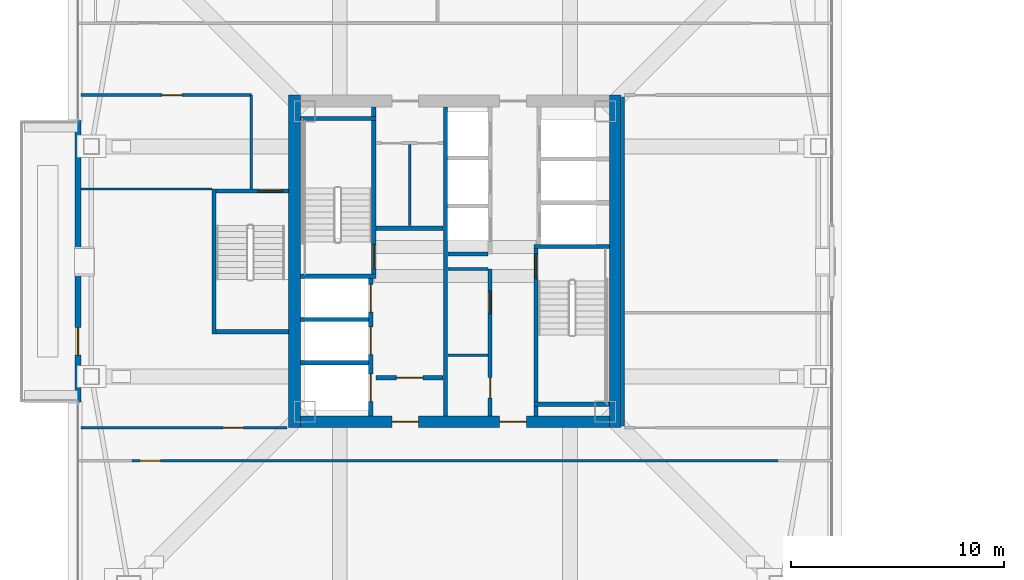
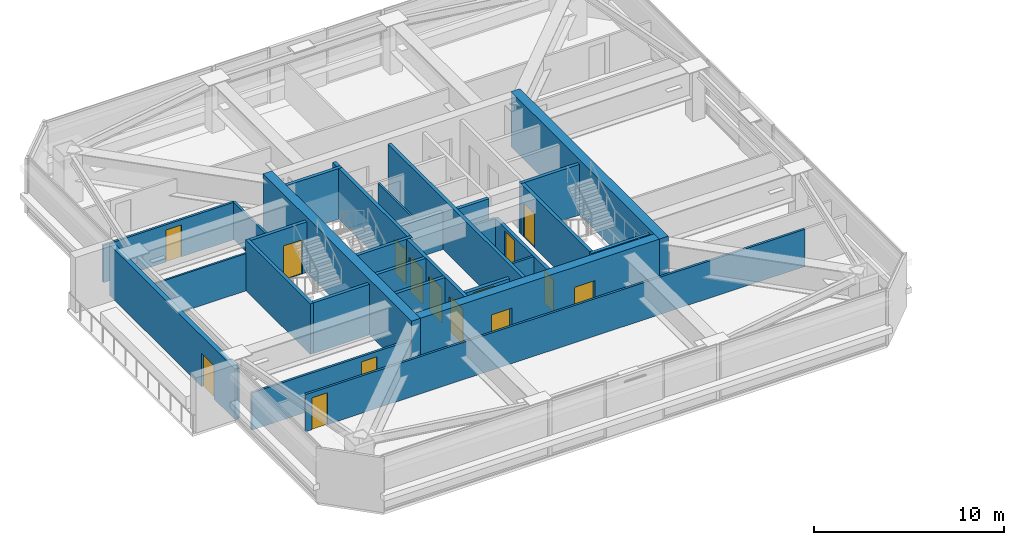
# One storey, part 32 of 42: 30 walls, 15 doors, 15 openings.
"""IFC4 building model written with IfcOpenShell, lengths in metres."""

from ifc_helpers import new_model, si_unit, direction, frame, frame_2d, origin, place, context, subcontext, project, spatial, rectangle, extrude, material, layer, layer_set, type_object, element, fill, save


model = new_model("IFC4")

# Units and contexts
model_context = context("Model", 3, precision=1e-05, world=origin(), true_north=direction((0.0, 1.0)))
body_context = subcontext(model_context, "Body", "Model", "MODEL_VIEW")
ifc_project = project(units=[si_unit("LENGTHUNIT", "METRE"), si_unit("AREAUNIT", "SQUARE_METRE"), si_unit("VOLUMEUNIT", "CUBIC_METRE"), si_unit("PLANEANGLEUNIT", "RADIAN"), si_unit("MASSUNIT", "GRAM", prefix="KILO")], contexts=[model_context])

# Site, building, storey
site_placement = place(None, origin())
site = spatial("IfcSite", under=ifc_project, at=site_placement, CompositionType="ELEMENT")
building_placement = place(site_placement, origin())
building = spatial("IfcBuilding", under=site, at=building_placement, Name="Tashvorn Skyway Center", CompositionType="ELEMENT")
storey_placement = place(building_placement, frame((0.0, 0.0, 196.050048828125)))
storey = spatial("IfcBuildingStorey", under=building, at=storey_placement, Name="L53", CompositionType="ELEMENT", Elevation=196.050048828125)

# Walls
ifc_material_1 = material(Name="Concrete C60/75", Category="concrete")
ifc_layer_1 = layer(ifc_material_1, 0.550048828125)
ifc_layer_set_1 = layer_set([ifc_layer_1], Name="Concrete C60/75")
wall_type_1 = type_object("IfcWallType", Name="WALL-CORE-550", PredefinedType="SHEAR", material=ifc_layer_set_1)
for number, where, z_axis, x_axis, name in (
    (1, (34.47509765625, 24.199951171875, 0.0), (0.0, 0.0, 1.0), (0.0, 1.0, 0.0), "Tower 1 L53 West Core Shear Wall"),
    (2, (49.52490234375, 39.800048828125, 0.0), (0.0, 0.0, 1.0), (0.0, -1.0, 0.0), "Tower 1 L53 East Core Shear Wall"),
):
    element("IfcWall", number, at=place(storey_placement, frame(where, z_axis=z_axis, x_axis=x_axis)), inside=storey, type_object=wall_type_1, Name=name, PredefinedType="SHEAR", context=body_context, shape_type="SweptSolid", body=[
        extrude(rectangle(XDim=15.60009765625, YDim=0.550048828125, at=frame_2d((7.800048828125, 0.0))), origin(), (0.0, 0.0, 1.0), 3.550048828125),
    ])

# Wall, openings, doors
wall_1_placement = place(storey_placement, frame((49.25, 24.47509765625, 0.0), z_axis=(0.0, 0.0, 1.0), x_axis=(-1.0, 0.0, 0.0)))
wall_1 = element("IfcWall", 3, at=wall_1_placement, inside=storey, type_object=wall_type_1, Name="Tower 1 L53 South Core Shear Wall", PredefinedType="SHEAR", context=body_context, shape_type="SweptSolid", body=[
    extrude(rectangle(XDim=14.5, YDim=0.550048828125, at=frame_2d((7.25, 0.0))), origin(), (0.0, 0.0, 1.0), 3.550048828125),
])
opening_1_placement = place(wall_1_placement, frame((8.949951171875, 0.0, 0.0)))
opening_1 = element("IfcOpeningElement", 4, at=opening_1_placement, cuts=wall_1, Name="Opening D-FFL-1250", PredefinedType="OPENING", context=body_context, shape_type="SweptSolid", body=[
    extrude(rectangle(XDim=1.25, YDim=2.25, at=frame_2d((0.625, 1.125))), frame((0.0, 0.284912109375, 0.0), z_axis=(0.0, -1.0, 0.0), x_axis=(1.0, 0.0, 0.0)), (0.0, 0.0, 1.0), 0.570068359375),
])
opening_2_placement = place(wall_1_placement, frame((3.89990234375, 0.0, 0.0)))
opening_2 = element("IfcOpeningElement", 5, at=opening_2_placement, cuts=wall_1, Name="Opening D-FFL-1250", PredefinedType="OPENING", context=body_context, shape_type="SweptSolid", body=[
    extrude(rectangle(XDim=1.25, YDim=2.25, at=frame_2d((0.625, 1.125))), frame((0.0, 0.284912109375, 0.0), z_axis=(0.0, -1.0, 0.0), x_axis=(1.0, 0.0, 0.0)), (0.0, 0.0, 1.0), 0.570068359375),
])
ifc_material_2 = material(Name="Hollow galvanized steel fire door assembly", Category="steel")
door_type_1 = type_object("IfcDoorType", Name="DOOR-FFL-1250", OperationType="NOTDEFINED", PredefinedType="DOOR", material=ifc_material_2)
door_1_placement = place(opening_1_placement, origin())
door_1 = element("IfcDoor", 6, at=door_1_placement, inside=storey, type_object=door_type_1, Name="Tower 1 L53 Core South Firefighting Exit Door", OperationType="SINGLE_SWING_LEFT", OverallHeight=2.25, OverallWidth=1.25, PredefinedType="DOOR", context=body_context, shape_type="SweptSolid", body=[
    extrude(rectangle(XDim=1.25, YDim=2.25, at=frame_2d((0.625, 1.125))), frame((0.0, 0.02490234375, 0.0), z_axis=(0.0, -1.0, 0.0), x_axis=(1.0, 0.0, 0.0)), (0.0, 0.0, 1.0), 0.050048828125),
])
fill(opening_1, door_1)
door_2_placement = place(opening_2_placement, origin())
door_2 = element("IfcDoor", 7, at=door_2_placement, inside=storey, type_object=door_type_1, Name="Tower 1 L53 Core South Lift Lobby Door", OperationType="SINGLE_SWING_RIGHT", OverallHeight=2.25, OverallWidth=1.25, PredefinedType="DOOR", context=body_context, shape_type="SweptSolid", body=[
    extrude(rectangle(XDim=1.25, YDim=2.25, at=frame_2d((0.625, 1.125))), frame((0.0, 0.02490234375, 0.0), z_axis=(0.0, -1.0, 0.0), x_axis=(1.0, 0.0, 0.0)), (0.0, 0.0, 1.0), 0.050048828125),
])
fill(opening_2, door_2)

# Wall, opening, door
ifc_material_3 = material(Name="Precast concrete C40/50", Category="concrete")
ifc_layer_2 = layer(ifc_material_3, 0.280029296875)
ifc_layer_set_2 = layer_set([ifc_layer_2], Name="Precast concrete C40/50")
wall_type_2 = type_object("IfcWallType", Name="WALL-EXT-280", PredefinedType="SOLIDWALL", material=ifc_layer_set_2)
wall_2_placement = place(storey_placement, frame((24.320068359375, 25.39990234375, 0.0), z_axis=(0.0, 0.0, 1.0), x_axis=(0.0, 1.0, 0.0)))
wall_2 = element("IfcWall", 8, at=wall_2_placement, inside=storey, type_object=wall_type_2, Name="Tower 1 L53 West Sky Garden Loggia Wall", PredefinedType="SOLIDWALL", context=body_context, shape_type="SweptSolid", body=[
    extrude(rectangle(XDim=13.2001953125, YDim=0.280029296875, at=frame_2d((6.60009765625, 0.0))), origin(), (0.0, 0.0, 1.0), 3.25),
])
opening_3_placement = place(wall_2_placement, frame((2.199951171875, 0.0, 0.0)))
opening_3 = element("IfcOpeningElement", 9, at=opening_3_placement, cuts=wall_2, Name="Opening D-TER-1300", PredefinedType="OPENING", context=body_context, shape_type="SweptSolid", body=[
    extrude(rectangle(XDim=1.300048828125, YDim=2.14990234375, at=frame_2d((0.64990234375, 1.074951171875))), frame((0.0, 0.14990234375, 0.0), z_axis=(0.0, -1.0, 0.0), x_axis=(1.0, 0.0, 0.0)), (0.0, 0.0, 1.0), 0.300048828125),
])
ifc_material_4 = material(Name="Thermally broken bronze-anodized aluminium 6063-T6", Category="aluminium")
door_type_2 = type_object("IfcDoorType", Name="DOOR-TERR-1300", OperationType="NOTDEFINED", PredefinedType="DOOR", material=ifc_material_4)
door_3_placement = place(opening_3_placement, origin())
door_3 = element("IfcDoor", 10, at=door_3_placement, inside=storey, type_object=door_type_2, Name="Tower 1 L53 Sky Garden Access Door", OperationType="SINGLE_SWING_LEFT", OverallHeight=2.14990234375, OverallWidth=1.300048828125, PredefinedType="DOOR", context=body_context, shape_type="SweptSolid", body=[
    extrude(rectangle(XDim=1.300048828125, YDim=2.14990234375, at=frame_2d((0.64990234375, 1.074951171875))), frame((0.0, 0.02490234375, 0.0), z_axis=(0.0, -1.0, 0.0), x_axis=(1.0, 0.0, 0.0)), (0.0, 0.0, 1.0), 0.050048828125),
])
fill(opening_3, door_3)

# Wall
ifc_material_5 = material(Name="Concrete C40/50", Category="concrete")
ifc_layer_3 = layer(ifc_material_5, 0.219970703125)
ifc_layer_set_3 = layer_set([ifc_layer_3], Name="Concrete C40/50")
wall_type_3 = type_object("IfcWallType", Name="WALL-FFL-220", PredefinedType="SOLIDWALL", material=ifc_layer_set_3)
wall_3_placement = place(storey_placement, frame((38.300048828125, 33.56005859375, 0.0), z_axis=(0.0, 0.0, 1.0), x_axis=(1.0, 0.0, 0.0)))
element("IfcWall", 11, at=wall_3_placement, inside=storey, type_object=wall_type_3, Name="Tower 1 L53 Firefighting Lobby North Wall", PredefinedType="SOLIDWALL", context=body_context, shape_type="SweptSolid", body=[
    extrude(rectangle(XDim=3.14990234375, YDim=0.219970703125, at=frame_2d((1.574951171875, 0.0))), origin(), (0.0, 0.0, 1.0), 2.39306640625),
])

# Wall, opening, door
wall_4_placement = place(storey_placement, frame((38.300048828125, 26.5400390625, 0.0), z_axis=(0.0, 0.0, 1.0), x_axis=(1.0, 0.0, 0.0)))
wall_4 = element("IfcWall", 12, at=wall_4_placement, inside=storey, type_object=wall_type_3, Name="Tower 1 L53 Firefighting Lobby South Wall", PredefinedType="SOLIDWALL", context=body_context, shape_type="SweptSolid", body=[
    extrude(rectangle(XDim=3.14990234375, YDim=0.219970703125, at=frame_2d((1.574951171875, 0.0))), origin(), (0.0, 0.0, 1.0), 2.39306640625),
])
opening_4_placement = place(wall_4_placement, frame((0.949951171875, 0.0, 0.0)))
opening_4 = element("IfcOpeningElement", 13, at=opening_4_placement, cuts=wall_4, Name="Opening D-FFL-1250", PredefinedType="OPENING", context=body_context, shape_type="SweptSolid", body=[
    extrude(rectangle(XDim=1.25, YDim=2.25, at=frame_2d((0.625, 1.125))), frame((0.0, 0.119873046875, 0.0), z_axis=(0.0, -1.0, 0.0), x_axis=(1.0, 0.0, 0.0)), (0.0, 0.0, 1.0), 0.239990234375),
])
door_4_placement = place(opening_4_placement, origin())
door_4 = element("IfcDoor", 14, at=door_4_placement, inside=storey, type_object=door_type_1, Name="Tower 1 L53 Firefighting Lobby Egress Door", OperationType="SINGLE_SWING_LEFT", OverallHeight=2.25, OverallWidth=1.25, PredefinedType="DOOR", context=body_context, shape_type="SweptSolid", body=[
    extrude(rectangle(XDim=1.25, YDim=2.25, at=frame_2d((0.625, 1.125))), frame((0.0, 0.02490234375, 0.0), z_axis=(0.0, -1.0, 0.0), x_axis=(1.0, 0.0, 0.0)), (0.0, 0.0, 1.0), 0.050048828125),
])
fill(opening_4, door_4)

# Walls
ifc_material_6 = material(Name="Gypsum board on cold-formed steel stud framing", Category="steel")
ifc_layer_4 = layer(ifc_material_6, 0.110107421875)
ifc_layer_set_4 = layer_set([ifc_layer_4], Name="Gypsum board on cold-formed steel stud framing")
wall_type_4 = type_object("IfcWallType", Name="WALL-PART-110", PredefinedType="PARTITIONING", material=ifc_layer_set_4)
wall_5_placement = place(storey_placement, frame((30.60009765625, 35.39990234375, 0.0), z_axis=(0.0, 0.0, 1.0), x_axis=(-1.0, 0.0, 0.0)))
element("IfcWall", 15, at=wall_5_placement, inside=storey, type_object=wall_type_4, Name="Tower 1 L53 West Suite Partition 1", PredefinedType="PARTITIONING", context=body_context, shape_type="SweptSolid", body=[
    extrude(rectangle(XDim=6.130126953125, YDim=0.110107421875, at=frame_2d((3.06494140625, 0.0))), origin(), (0.0, 0.0, 1.0), 2.39306640625),
])
ifc_layer_5 = layer(ifc_material_6, 0.135009765625)
ifc_layer_set_5 = layer_set([ifc_layer_5], Name="Gypsum board on cold-formed steel stud framing")
wall_type_5 = type_object("IfcWallType", Name="WALL-PART-135", PredefinedType="PARTITIONING", material=ifc_layer_set_5)
wall_6_placement = place(storey_placement, frame((32.449951171875, 35.39990234375, 0.0), z_axis=(0.0, 0.0, 1.0), x_axis=(0.0, 1.0, 0.0)))
element("IfcWall", 16, at=wall_6_placement, inside=storey, type_object=wall_type_5, Name="Tower 1 L53 Stair 3 Access Corridor Wall", PredefinedType="PARTITIONING", context=body_context, shape_type="SweptSolid", body=[
    extrude(rectangle(XDim=4.400146484375, YDim=0.135009765625, at=frame_2d((2.2001953125, 0.0))), origin(), (0.0, 0.0, 1.0), 2.39306640625),
])

# Wall, opening, door
wall_7_placement = place(storey_placement, frame((57.14990234375, 22.64990234375, 0.0), z_axis=(0.0, 0.0, 1.0), x_axis=(-1.0, 0.0, 0.0)))
wall_7 = element("IfcWall", 17, at=wall_7_placement, inside=storey, type_object=wall_type_5, Name="Tower 1 L53 South Suite Wall", PredefinedType="PARTITIONING", context=body_context, shape_type="SweptSolid", body=[
    extrude(rectangle(XDim=30.2998046875, YDim=0.135009765625, at=frame_2d((15.14990234375, 0.0))), origin(), (0.0, 0.0, 1.0), 2.39306640625),
])
opening_5_placement = place(wall_7_placement, frame((28.969970703125, 0.0, 0.0)))
opening_5 = element("IfcOpeningElement", 18, at=opening_5_placement, cuts=wall_7, Name="Opening D-INT-950", PredefinedType="OPENING", context=body_context, shape_type="SweptSolid", body=[
    extrude(rectangle(XDim=0.949951171875, YDim=2.050048828125, at=frame_2d((0.47509765625, 1.02490234375))), frame((0.0, 0.077392578125, 0.0), z_axis=(0.0, -1.0, 0.0), x_axis=(1.0, 0.0, 0.0)), (0.0, 0.0, 1.0), 0.155029296875),
])
ifc_material_7 = material(Name="Solid-core architectural oak veneer door")
door_type_3 = type_object("IfcDoorType", Name="DOOR-INT-950", OperationType="NOTDEFINED", PredefinedType="DOOR", material=ifc_material_7)
door_5_placement = place(opening_5_placement, origin())
door_5 = element("IfcDoor", 19, at=door_5_placement, inside=storey, type_object=door_type_3, Name="Tower 1 L53 Gallery Showroom Door", OperationType="SINGLE_SWING_RIGHT", OverallHeight=2.050048828125, OverallWidth=0.949951171875, PredefinedType="DOOR", context=body_context, shape_type="SweptSolid", body=[
    extrude(rectangle(XDim=0.949951171875, YDim=2.050048828125, at=frame_2d((0.47509765625, 1.02490234375))), frame((0.0, 0.02490234375, 0.0), z_axis=(0.0, -1.0, 0.0), x_axis=(1.0, 0.0, 0.0)), (0.0, 0.0, 1.0), 0.050048828125),
])
fill(opening_5, door_5)

# Wall
wall_8_placement = place(storey_placement, frame((49.8798828125, 39.719970703125, 0.0), z_axis=(0.0, 0.0, 1.0), x_axis=(0.0, -1.0, 0.0)))
element("IfcWall", 20, at=wall_8_placement, inside=storey, type_object=wall_type_5, Name="Tower 1 L53 East Inner Suite Wall", PredefinedType="PARTITIONING", context=body_context, shape_type="SweptSolid", body=[
    extrude(rectangle(XDim=15.43994140625, YDim=0.135009765625, at=frame_2d((7.719970703125, 0.0))), origin(), (0.0, 0.0, 1.0), 2.39306640625),
])

# Wall, opening, door
wall_9_placement = place(storey_placement, frame((32.449951171875, 39.800048828125, 0.0), z_axis=(0.0, 0.0, 1.0), x_axis=(-1.0, 0.0, 0.0)))
wall_9 = element("IfcWall", 21, at=wall_9_placement, inside=storey, type_object=wall_type_5, Name="Tower 1 L53 West Suite North Wall", PredefinedType="PARTITIONING", context=body_context, shape_type="SweptSolid", body=[
    extrude(rectangle(XDim=7.97998046875, YDim=0.135009765625, at=frame_2d((3.989990234375, 0.0))), origin(), (0.0, 0.0, 1.0), 2.39306640625),
])
opening_6_placement = place(wall_9_placement, frame((3.239990234375, 0.0, 0.0)))
opening_6 = element("IfcOpeningElement", 22, at=opening_6_placement, cuts=wall_9, Name="Opening D-INT-950", PredefinedType="OPENING", context=body_context, shape_type="SweptSolid", body=[
    extrude(rectangle(XDim=0.949951171875, YDim=2.050048828125, at=frame_2d((0.47509765625, 1.02490234375))), frame((0.0, 0.077392578125, 0.0), z_axis=(0.0, -1.0, 0.0), x_axis=(1.0, 0.0, 0.0)), (0.0, 0.0, 1.0), 0.155029296875),
])
door_6_placement = place(opening_6_placement, origin())
door_6 = element("IfcDoor", 23, at=door_6_placement, inside=storey, type_object=door_type_3, Name="Tower 1 L53 Collaborative Studio Door", OperationType="SINGLE_SWING_LEFT", OverallHeight=2.050048828125, OverallWidth=0.949951171875, PredefinedType="DOOR", context=body_context, shape_type="SweptSolid", body=[
    extrude(rectangle(XDim=0.949951171875, YDim=2.050048828125, at=frame_2d((0.47509765625, 1.02490234375))), frame((0.0, 0.02490234375, 0.0), z_axis=(0.0, -1.0, 0.0), x_axis=(1.0, 0.0, 0.0)), (0.0, 0.0, 1.0), 0.050048828125),
])
fill(opening_6, door_6)

wall_10_placement = place(storey_placement, frame((24.469970703125, 24.199951171875, 0.0), z_axis=(0.0, 0.0, 1.0), x_axis=(1.0, 0.0, 0.0)))
wall_10 = element("IfcWall", 24, at=wall_10_placement, inside=storey, type_object=wall_type_5, Name="Tower 1 L53 West Suite South Wall", PredefinedType="PARTITIONING", context=body_context, shape_type="SweptSolid", body=[
    extrude(rectangle(XDim=9.650146484375, YDim=0.135009765625, at=frame_2d((4.8251953125, 0.0))), origin(), (0.0, 0.0, 1.0), 2.39306640625),
])
opening_7_placement = place(wall_10_placement, frame((6.655029296875, 0.0, 0.0)))
opening_7 = element("IfcOpeningElement", 25, at=opening_7_placement, cuts=wall_10, Name="Opening D-INT-950", PredefinedType="OPENING", context=body_context, shape_type="SweptSolid", body=[
    extrude(rectangle(XDim=0.949951171875, YDim=2.050048828125, at=frame_2d((0.47509765625, 1.02490234375))), frame((0.0, 0.077392578125, 0.0), z_axis=(0.0, -1.0, 0.0), x_axis=(1.0, 0.0, 0.0)), (0.0, 0.0, 1.0), 0.155029296875),
])
door_7_placement = place(opening_7_placement, origin())
door_7 = element("IfcDoor", 26, at=door_7_placement, inside=storey, type_object=door_type_3, Name="Tower 1 L53 Public Restroom Door", OperationType="SINGLE_SWING_RIGHT", OverallHeight=2.050048828125, OverallWidth=0.949951171875, PredefinedType="DOOR", context=body_context, shape_type="SweptSolid", body=[
    extrude(rectangle(XDim=0.949951171875, YDim=2.050048828125, at=frame_2d((0.47509765625, 1.02490234375))), frame((0.0, 0.02490234375, 0.0), z_axis=(0.0, -1.0, 0.0), x_axis=(1.0, 0.0, 0.0)), (0.0, 0.0, 1.0), 0.050048828125),
])
fill(opening_7, door_7)

# Walls
ifc_layer_6 = layer(ifc_material_6, 0.110107421875)
ifc_layer_set_6 = layer_set([ifc_layer_6], Name="Gypsum board on cold-formed steel stud framing")
wall_type_6 = type_object("IfcWallType", Name="WALL-RATED-110", PredefinedType="PARTITIONING", material=ifc_layer_set_6)
wall_11_placement = place(storey_placement, frame((39.8798828125, 33.679931640625, 0.0), z_axis=(0.0, 0.0, 1.0), x_axis=(0.0, 1.0, 0.0)))
element("IfcWall", 27, at=wall_11_placement, inside=storey, type_object=wall_type_6, Name="Tower 1 L53 Core Split Partition", PredefinedType="PARTITIONING", context=body_context, shape_type="SweptSolid", body=[
    extrude(rectangle(XDim=3.800048828125, YDim=0.110107421875, at=frame_2d((1.89990234375, 0.0))), origin(), (0.0, 0.0, 1.0), 2.39306640625),
])
ifc_layer_7 = layer(ifc_material_6, 0.135009765625)
ifc_layer_set_7 = layer_set([ifc_layer_7], Name="Gypsum board on cold-formed steel stud framing")
wall_type_7 = type_object("IfcWallType", Name="WALL-RATED-135", PredefinedType="PARTITIONING", material=ifc_layer_set_7)
for number, where, z_axis, x_axis, name in (
    (28, (41.669921875, 31.64990234375, 0.0), (0.0, 0.0, 1.0), (1.0, 0.0, 0.0), "Tower 1 L53 Core Room Partition"),
    (29, (41.669921875, 27.60009765625, 0.0), (0.0, 0.0, 1.0), (1.0, 0.0, 0.0), "Tower 1 L53 Freed Core Partition"),
):
    element("IfcWall", number, at=place(storey_placement, frame(where, z_axis=z_axis, x_axis=x_axis)), inside=storey, type_object=wall_type_7, Name=name, PredefinedType="PARTITIONING", context=body_context, shape_type="SweptSolid", body=[
        extrude(rectangle(XDim=1.880126953125, YDim=0.135009765625, at=frame_2d((0.93994140625, 0.0))), origin(), (0.0, 0.0, 1.0), 2.39306640625),
    ])
ifc_layer_8 = layer(ifc_material_5, 0.199951171875)
ifc_layer_set_8 = layer_set([ifc_layer_8], Name="Concrete C40/50")
wall_type_8 = type_object("IfcWallType", Name="WALL-SHAFT-200", PredefinedType="SOLIDWALL", material=ifc_layer_set_8)
for number, where, z_axis, x_axis, name in (
    (30, (34.75, 27.25, 0.0), (0.0, 0.0, 1.0), (1.0, 0.0, 0.0), "Tower 1 L53 FSAE Shaft Divider"),
    (31, (34.75, 29.280029296875, 0.0), (0.0, 0.0, 1.0), (1.0, 0.0, 0.0), "Tower 1 L53 FSAE Shaft Divider"),
):
    element("IfcWall", number, at=place(storey_placement, frame(where, z_axis=z_axis, x_axis=x_axis)), inside=storey, type_object=wall_type_8, Name=name, PredefinedType="SOLIDWALL", context=body_context, shape_type="SweptSolid", body=[
        extrude(rectangle(XDim=3.199951171875, YDim=0.199951171875, at=frame_2d((1.60009765625, 0.0))), origin(), (0.0, 0.0, 1.0), 3.25),
    ])

# Wall, openings, doors
wall_12_placement = place(storey_placement, frame((43.64990234375, 24.75, 0.0), z_axis=(0.0, 0.0, 1.0), x_axis=(0.0, 1.0, 0.0)))
wall_12 = element("IfcWall", 32, at=wall_12_placement, inside=storey, type_object=wall_type_8, Name="Tower 1 L53 Low-Rise Core Wall", PredefinedType="SOLIDWALL", context=body_context, shape_type="SweptSolid", body=[
    extrude(rectangle(XDim=6.89990234375, YDim=0.199951171875, at=frame_2d((3.449951171875, 0.0))), origin(), (0.0, 0.0, 1.0), 2.39306640625),
])
opening_8_placement = place(wall_12_placement, frame((0.85009765625, 0.0, 0.0)))
opening_8 = element("IfcOpeningElement", 33, at=opening_8_placement, cuts=wall_12, Name="Opening D-RT-950", PredefinedType="OPENING", context=body_context, shape_type="SweptSolid", body=[
    extrude(rectangle(XDim=0.949951171875, YDim=2.050048828125, at=frame_2d((0.47509765625, 1.02490234375))), frame((0.0, 0.10986328125, 0.0), z_axis=(0.0, -1.0, 0.0), x_axis=(1.0, 0.0, 0.0)), (0.0, 0.0, 1.0), 0.219970703125),
])
opening_9_placement = place(wall_12_placement, frame((4.800048828125, 0.0, 0.0)))
opening_9 = element("IfcOpeningElement", 34, at=opening_9_placement, cuts=wall_12, Name="Opening D-RT-1050", PredefinedType="OPENING", context=body_context, shape_type="SweptSolid", body=[
    extrude(rectangle(XDim=1.050048828125, YDim=2.199951171875, at=frame_2d((0.52490234375, 1.10009765625))), frame((0.0, 0.10986328125, 0.0), z_axis=(0.0, -1.0, 0.0), x_axis=(1.0, 0.0, 0.0)), (0.0, 0.0, 1.0), 0.219970703125),
])
door_type_4 = type_object("IfcDoorType", Name="DOOR-RATED-1050", OperationType="NOTDEFINED", PredefinedType="DOOR", material=ifc_material_2)
door_8_placement = place(opening_9_placement, origin())
door_8 = element("IfcDoor", 35, at=door_8_placement, inside=storey, type_object=door_type_4, Name="Tower 1 L53 Freed Core Room Door", OperationType="SINGLE_SWING_RIGHT", OverallHeight=2.199951171875, OverallWidth=1.050048828125, PredefinedType="DOOR", context=body_context, shape_type="SweptSolid", body=[
    extrude(rectangle(XDim=1.050048828125, YDim=2.199951171875, at=frame_2d((0.52490234375, 1.10009765625))), frame((0.0, 0.02490234375, 0.0), z_axis=(0.0, -1.0, 0.0), x_axis=(1.0, 0.0, 0.0)), (0.0, 0.0, 1.0), 0.050048828125),
])
fill(opening_9, door_8)
door_type_5 = type_object("IfcDoorType", Name="DOOR-RATED-950", OperationType="NOTDEFINED", PredefinedType="DOOR", material=ifc_material_2)
door_9_placement = place(opening_8_placement, origin())
door_9 = element("IfcDoor", 36, at=door_9_placement, inside=storey, type_object=door_type_5, Name="Tower 1 L53 Core Print Room Door", OperationType="SINGLE_SWING_LEFT", OverallHeight=2.050048828125, OverallWidth=0.949951171875, PredefinedType="DOOR", context=body_context, shape_type="SweptSolid", body=[
    extrude(rectangle(XDim=0.949951171875, YDim=2.050048828125, at=frame_2d((0.47509765625, 1.02490234375))), frame((0.0, 0.02490234375, 0.0), z_axis=(0.0, -1.0, 0.0), x_axis=(1.0, 0.0, 0.0)), (0.0, 0.0, 1.0), 0.050048828125),
])
fill(opening_8, door_9)

# Wall
wall_13_placement = place(storey_placement, frame((41.669921875, 32.35009765625, 0.0), z_axis=(0.0, 0.0, 1.0), x_axis=(1.0, 0.0, 0.0)))
element("IfcWall", 37, at=wall_13_placement, inside=storey, type_object=wall_type_8, Name="Tower 1 L53 Mid-Rise Shaft Divider", PredefinedType="SOLIDWALL", context=body_context, shape_type="SweptSolid", body=[
    extrude(rectangle(XDim=1.880126953125, YDim=0.199951171875, at=frame_2d((0.93994140625, 0.0))), origin(), (0.0, 0.0, 1.0), 3.25),
])

# Wall, opening, door
ifc_layer_9 = layer(ifc_material_5, 0.199951171875)
ifc_layer_set_9 = layer_set([ifc_layer_9], Name="Concrete C40/50")
wall_type_9 = type_object("IfcWallType", Name="WALL-STSHF-200", PredefinedType="SHEAR", material=ifc_layer_set_9)
wall_14_placement = place(storey_placement, frame((38.199951171875, 31.199951171875, 0.0), z_axis=(0.0, 0.0, 1.0), x_axis=(0.0, 1.0, 0.0)))
wall_14 = element("IfcWall", 38, at=wall_14_placement, inside=storey, type_object=wall_type_9, Name="Tower 1 L53 Stair 1 Enclosure Wall", PredefinedType="SHEAR", context=body_context, shape_type="SweptSolid", body=[
    extrude(rectangle(XDim=8.050048828125, YDim=0.199951171875, at=frame_2d((4.02490234375, 0.0))), origin(), (0.0, 0.0, 1.0), 3.25),
])
opening_10_placement = place(wall_14_placement, frame((0.449951171875, 0.0, 0.0)))
opening_10 = element("IfcOpeningElement", 39, at=opening_10_placement, cuts=wall_14, Name="Opening D-ST-1150", PredefinedType="OPENING", context=body_context, shape_type="SweptSolid", body=[
    extrude(rectangle(XDim=1.14990234375, YDim=2.199951171875, at=frame_2d((0.574951171875, 1.10009765625))), frame((0.0, 0.10986328125, 0.0), z_axis=(0.0, -1.0, 0.0), x_axis=(1.0, 0.0, 0.0)), (0.0, 0.0, 1.0), 0.219970703125),
])
door_type_6 = type_object("IfcDoorType", Name="DOOR-STAIR-1150", OperationType="NOTDEFINED", PredefinedType="DOOR", material=ifc_material_2)
door_10_placement = place(opening_10_placement, origin())
door_10 = element("IfcDoor", 40, at=door_10_placement, inside=storey, type_object=door_type_6, Name="Tower 1 L53 Exit Stair 1 Door", OperationType="SINGLE_SWING_RIGHT", OverallHeight=2.199951171875, OverallWidth=1.14990234375, PredefinedType="DOOR", context=body_context, shape_type="SweptSolid", body=[
    extrude(rectangle(XDim=1.14990234375, YDim=2.199951171875, at=frame_2d((0.574951171875, 1.10009765625))), frame((0.0, 0.02490234375, 0.0), z_axis=(0.0, -1.0, 0.0), x_axis=(1.0, 0.0, 0.0)), (0.0, 0.0, 1.0), 0.050048828125),
])
fill(opening_10, door_10)

# Walls
for number, where, z_axis, x_axis, name in (
    (41, (34.75, 31.300048828125, 0.0), (0.0, 0.0, 1.0), (1.0, 0.0, 0.0), "Tower 1 L53 Stair 1 South Wall"),
    (42, (34.75, 38.699951171875, 0.0), (0.0, 0.0, 1.0), (1.0, 0.0, 0.0), "Tower 1 L53 Stair 1 North Wall"),
):
    element("IfcWall", number, at=place(storey_placement, frame(where, z_axis=z_axis, x_axis=x_axis)), inside=storey, type_object=wall_type_9, Name=name, PredefinedType="SHEAR", context=body_context, shape_type="SweptSolid", body=[
        extrude(rectangle(XDim=3.550048828125, YDim=0.199951171875, at=frame_2d((1.77490234375, 0.0))), origin(), (0.0, 0.0, 1.0), 3.25),
    ])

# Wall, opening, door
wall_15_placement = place(storey_placement, frame((45.800048828125, 32.800048828125, 0.0), z_axis=(0.0, 0.0, 1.0), x_axis=(0.0, -1.0, 0.0)))
wall_15 = element("IfcWall", 43, at=wall_15_placement, inside=storey, type_object=wall_type_9, Name="Tower 1 L53 Stair 2 Enclosure Wall", PredefinedType="SHEAR", context=body_context, shape_type="SweptSolid", body=[
    extrude(rectangle(XDim=8.050048828125, YDim=0.199951171875, at=frame_2d((4.02490234375, 0.0))), origin(), (0.0, 0.0, 1.0), 3.25),
])
opening_11_placement = place(wall_15_placement, frame((0.449951171875, 0.0, 0.0)))
opening_11 = element("IfcOpeningElement", 44, at=opening_11_placement, cuts=wall_15, Name="Opening D-ST-1150", PredefinedType="OPENING", context=body_context, shape_type="SweptSolid", body=[
    extrude(rectangle(XDim=1.14990234375, YDim=2.199951171875, at=frame_2d((0.574951171875, 1.10009765625))), frame((0.0, 0.10986328125, 0.0), z_axis=(0.0, -1.0, 0.0), x_axis=(1.0, 0.0, 0.0)), (0.0, 0.0, 1.0), 0.219970703125),
])
door_11_placement = place(opening_11_placement, origin())
door_11 = element("IfcDoor", 45, at=door_11_placement, inside=storey, type_object=door_type_6, Name="Tower 1 L53 Exit Stair 2 Door", OperationType="SINGLE_SWING_RIGHT", OverallHeight=2.199951171875, OverallWidth=1.14990234375, PredefinedType="DOOR", context=body_context, shape_type="SweptSolid", body=[
    extrude(rectangle(XDim=1.14990234375, YDim=2.199951171875, at=frame_2d((0.574951171875, 1.10009765625))), frame((0.0, 0.02490234375, 0.0), z_axis=(0.0, -1.0, 0.0), x_axis=(1.0, 0.0, 0.0)), (0.0, 0.0, 1.0), 0.050048828125),
])
fill(opening_11, door_11)

# Walls
for number, where, z_axis, x_axis, name in (
    (46, (45.699951171875, 32.699951171875, 0.0), (0.0, 0.0, 1.0), (1.0, 0.0, 0.0), "Tower 1 L53 Stair 2 North Wall"),
    (47, (45.699951171875, 25.300048828125, 0.0), (0.0, 0.0, 1.0), (1.0, 0.0, 0.0), "Tower 1 L53 Stair 2 South Wall"),
):
    element("IfcWall", number, at=place(storey_placement, frame(where, z_axis=z_axis, x_axis=x_axis)), inside=storey, type_object=wall_type_9, Name=name, PredefinedType="SHEAR", context=body_context, shape_type="SweptSolid", body=[
        extrude(rectangle(XDim=3.550048828125, YDim=0.199951171875, at=frame_2d((1.77490234375, 0.0))), origin(), (0.0, 0.0, 1.0), 3.25),
    ])
wall_16_placement = place(storey_placement, frame((41.56005859375, 24.75, 0.0), z_axis=(0.0, 0.0, 1.0), x_axis=(0.0, 1.0, 0.0)))
element("IfcWall", 48, at=wall_16_placement, inside=storey, type_object=wall_type_9, Name="Tower 1 L53 Firefighting Lobby East Smoke Barrier", PredefinedType="SHEAR", context=body_context, shape_type="SweptSolid", body=[
    extrude(rectangle(XDim=14.5, YDim=0.199951171875, at=frame_2d((7.25, 0.0))), origin(), (0.0, 0.0, 1.0), 3.25),
])

# Wall, openings, doors
wall_17_placement = place(storey_placement, frame((38.050048828125, 24.75, 0.0), z_axis=(0.0, 0.0, 1.0), x_axis=(0.0, 1.0, 0.0)))
wall_17 = element("IfcWall", 49, at=wall_17_placement, inside=storey, type_object=wall_type_9, Name="Tower 1 L53 FSAE and Goods Shaft Front Wall", PredefinedType="SHEAR", context=body_context, shape_type="SweptSolid", body=[
    extrude(rectangle(XDim=6.449951171875, YDim=0.199951171875, at=frame_2d((3.22509765625, 0.0))), origin(), (0.0, 0.0, 1.0), 3.25),
])
opening_12_placement = place(wall_17_placement, frame((4.875, 0.0, 0.0)))
opening_12 = element("IfcOpeningElement", 50, at=opening_12_placement, cuts=wall_17, Name="Opening LD-FF-T1-1-L53", PredefinedType="OPENING", context=body_context, shape_type="SweptSolid", body=[
    extrude(rectangle(XDim=1.300048828125, YDim=2.25, at=frame_2d((0.64990234375, 1.125))), frame((0.0, 0.10986328125, 0.0), z_axis=(0.0, -1.0, 0.0), x_axis=(1.0, 0.0, 0.0)), (0.0, 0.0, 1.0), 0.219970703125),
])
opening_13_placement = place(wall_17_placement, frame((2.875, 0.0, 0.0)))
opening_13 = element("IfcOpeningElement", 51, at=opening_13_placement, cuts=wall_17, Name="Opening LD-FF-T1-2-L53", PredefinedType="OPENING", context=body_context, shape_type="SweptSolid", body=[
    extrude(rectangle(XDim=1.300048828125, YDim=2.25, at=frame_2d((0.64990234375, 1.125))), frame((0.0, 0.10986328125, 0.0), z_axis=(0.0, -1.0, 0.0), x_axis=(1.0, 0.0, 0.0)), (0.0, 0.0, 1.0), 0.219970703125),
])
opening_14_placement = place(wall_17_placement, frame((0.675048828125, 0.0, 0.0)))
opening_14 = element("IfcOpeningElement", 52, at=opening_14_placement, cuts=wall_17, Name="Opening LD-GD-T1-1-L53", PredefinedType="OPENING", context=body_context, shape_type="SweptSolid", body=[
    extrude(rectangle(XDim=1.300048828125, YDim=2.25, at=frame_2d((0.64990234375, 1.125))), frame((0.0, 0.10986328125, 0.0), z_axis=(0.0, -1.0, 0.0), x_axis=(1.0, 0.0, 0.0)), (0.0, 0.0, 1.0), 0.219970703125),
])
ifc_material_8 = material(Name="Stainless steel heavy-duty landing door", Category="steel")
door_type_7 = type_object("IfcDoorType", Name="DOOR-LIFT-1300", OperationType="SLIDING_TO_LEFT", PredefinedType="DOOR", material=ifc_material_8)
door_12_placement = place(opening_12_placement, origin())
door_12 = element("IfcDoor", 53, at=door_12_placement, inside=storey, type_object=door_type_7, Name="Lift FF-T1-1 L53 Landing Door", OperationType="SLIDING_TO_LEFT", OverallHeight=2.25, OverallWidth=1.300048828125, PredefinedType="DOOR", context=body_context, shape_type="SweptSolid", body=[
    extrude(rectangle(XDim=1.300048828125, YDim=2.25, at=frame_2d((0.64990234375, 1.125))), frame((0.0, 0.02490234375, 0.0), z_axis=(0.0, -1.0, 0.0), x_axis=(1.0, 0.0, 0.0)), (0.0, 0.0, 1.0), 0.050048828125),
])
fill(opening_12, door_12)
door_13_placement = place(opening_13_placement, origin())
door_13 = element("IfcDoor", 54, at=door_13_placement, inside=storey, type_object=door_type_7, Name="Lift FF-T1-2 L53 Landing Door", OperationType="SLIDING_TO_LEFT", OverallHeight=2.25, OverallWidth=1.300048828125, PredefinedType="DOOR", context=body_context, shape_type="SweptSolid", body=[
    extrude(rectangle(XDim=1.300048828125, YDim=2.25, at=frame_2d((0.64990234375, 1.125))), frame((0.0, 0.02490234375, 0.0), z_axis=(0.0, -1.0, 0.0), x_axis=(1.0, 0.0, 0.0)), (0.0, 0.0, 1.0), 0.050048828125),
])
fill(opening_13, door_13)
door_14_placement = place(opening_14_placement, origin())
door_14 = element("IfcDoor", 55, at=door_14_placement, inside=storey, type_object=door_type_7, Name="Lift GD-T1-1 L53 Landing Door", OperationType="SLIDING_TO_LEFT", OverallHeight=2.25, OverallWidth=1.300048828125, PredefinedType="DOOR", context=body_context, shape_type="SweptSolid", body=[
    extrude(rectangle(XDim=1.300048828125, YDim=2.25, at=frame_2d((0.64990234375, 1.125))), frame((0.0, 0.02490234375, 0.0), z_axis=(0.0, -1.0, 0.0), x_axis=(1.0, 0.0, 0.0)), (0.0, 0.0, 1.0), 0.050048828125),
])
fill(opening_14, door_14)

# Wall
wall_18_placement = place(storey_placement, frame((30.699951171875, 28.60009765625, 0.0), z_axis=(0.0, 0.0, 1.0), x_axis=(0.0, 1.0, 0.0)))
element("IfcWall", 56, at=wall_18_placement, inside=storey, type_object=wall_type_9, Name="Tower 1 L53 Stair 3 Outer Wall", PredefinedType="SHEAR", context=body_context, shape_type="SweptSolid", body=[
    extrude(rectangle(XDim=6.7998046875, YDim=0.199951171875, at=frame_2d((3.39990234375, 0.0))), origin(), (0.0, 0.0, 1.0), 3.25),
])

# Wall, opening, door
wall_19_placement = place(storey_placement, frame((34.199951171875, 35.300048828125, 0.0), z_axis=(0.0, 0.0, 1.0), x_axis=(-1.0, 0.0, 0.0)))
wall_19 = element("IfcWall", 57, at=wall_19_placement, inside=storey, type_object=wall_type_9, Name="Tower 1 L53 Stair 3 Enclosure Wall", PredefinedType="SHEAR", context=body_context, shape_type="SweptSolid", body=[
    extrude(rectangle(XDim=3.39990234375, YDim=0.199951171875, at=frame_2d((1.699951171875, 0.0))), origin(), (0.0, 0.0, 1.0), 3.25),
])
opening_15_placement = place(wall_19_placement, frame((0.27490234375, 0.0, 0.0)))
opening_15 = element("IfcOpeningElement", 58, at=opening_15_placement, cuts=wall_19, Name="Opening D-ST-1150", PredefinedType="OPENING", context=body_context, shape_type="SweptSolid", body=[
    extrude(rectangle(XDim=1.14990234375, YDim=2.199951171875, at=frame_2d((0.574951171875, 1.10009765625))), frame((0.0, 0.10986328125, 0.0), z_axis=(0.0, -1.0, 0.0), x_axis=(1.0, 0.0, 0.0)), (0.0, 0.0, 1.0), 0.219970703125),
])
door_15_placement = place(opening_15_placement, origin())
door_15 = element("IfcDoor", 59, at=door_15_placement, inside=storey, type_object=door_type_6, Name="Tower 1 L53 Exit Stair 3 Door", OperationType="SINGLE_SWING_RIGHT", OverallHeight=2.199951171875, OverallWidth=1.14990234375, PredefinedType="DOOR", context=body_context, shape_type="SweptSolid", body=[
    extrude(rectangle(XDim=1.14990234375, YDim=2.199951171875, at=frame_2d((0.574951171875, 1.10009765625))), frame((0.0, 0.02490234375, 0.0), z_axis=(0.0, -1.0, 0.0), x_axis=(1.0, 0.0, 0.0)), (0.0, 0.0, 1.0), 0.050048828125),
])
fill(opening_15, door_15)

# Wall
wall_20_placement = place(storey_placement, frame((30.800048828125, 28.699951171875, 0.0), z_axis=(0.0, 0.0, 1.0), x_axis=(1.0, 0.0, 0.0)))
element("IfcWall", 60, at=wall_20_placement, inside=storey, type_object=wall_type_9, Name="Tower 1 L53 Stair 3 South Wall", PredefinedType="SHEAR", context=body_context, shape_type="SweptSolid", body=[
    extrude(rectangle(XDim=3.39990234375, YDim=0.199951171875, at=frame_2d((1.699951171875, 0.0))), origin(), (0.0, 0.0, 1.0), 3.25),
])

save(model, "model.ifc")
